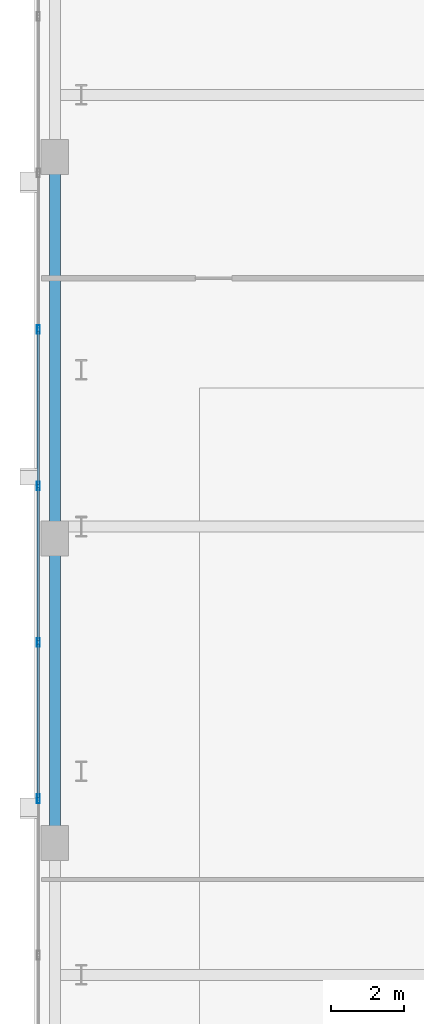
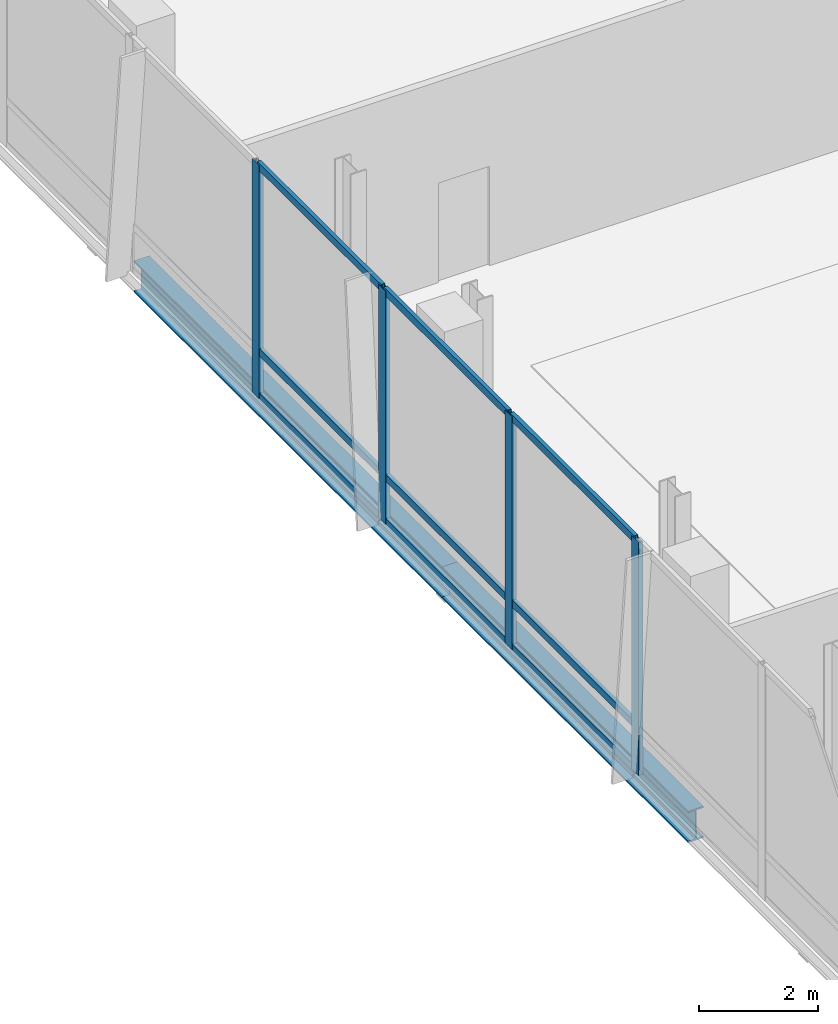
# One storey, part 8 of 25: 13 members, 2 beams, 1 element without a shape of its own.
"""IFC4 building model written with IfcOpenShell, lengths in metres."""

from ifc_helpers import new_model, si_unit, direction, frame, origin, origin_2d, place, context, subcontext, project, spatial, hollow_rectangle, i_section, extrude, material, material_profile, profile_set, type_object, element, aggregate, save


model = new_model("IFC4")

# Units and contexts
model_context = context("Model", 3, precision=1e-05, world=origin(), true_north=direction((0.0, 1.0)))
body_context = subcontext(model_context, "Body", "Model", "MODEL_VIEW")
ifc_project = project(units=[si_unit("LENGTHUNIT", "METRE"), si_unit("AREAUNIT", "SQUARE_METRE"), si_unit("VOLUMEUNIT", "CUBIC_METRE"), si_unit("PLANEANGLEUNIT", "RADIAN"), si_unit("MASSUNIT", "GRAM", prefix="KILO")], contexts=[model_context])

# Site, building, storey
site_placement = place(None, origin())
site = spatial("IfcSite", under=ifc_project, at=site_placement, CompositionType="ELEMENT")
building_placement = place(site_placement, origin())
building = spatial("IfcBuilding", under=site, at=building_placement, Name="Khoronbel Lancet Exchange", CompositionType="ELEMENT")
storey_placement = place(building_placement, frame((0.0, 0.0, 10.39990234375)))
storey = spatial("IfcBuildingStorey", under=building, at=storey_placement, Name="L02", CompositionType="ELEMENT", Elevation=10.39990234375)

# Beams
ifc_material_1 = material(Name="Steel S355", Category="steel")
ifc_material_profile_1 = material_profile(ifc_material_1, i_section(OverallWidth=0.300048828125, OverallDepth=0.64990234375, WebThickness=0.01611328125, FlangeThickness=0.031005859375, at=origin_2d()), Name="HEB 650")
ifc_profile_set_1 = profile_set([ifc_material_profile_1], Name="Steel S355")
beam_type = type_object("IfcBeamType", Name="BM-BSP1", PredefinedType="SPANDREL", material=ifc_profile_set_1)
beam_1_placement = place(storey_placement, frame((0.550048828125, 41.5, -0.52490234375), z_axis=(0.0, -1.0, 0.0), x_axis=(1.0, 0.0, 0.0)))
element("IfcBeam", 1, at=beam_1_placement, inside=storey, type_object=beam_type, Name="Level L02 perimeter spandrel beam SP16", PredefinedType="SPANDREL", context=body_context, shape_type="SweptSolid", body=[
    extrude(i_section(OverallWidth=0.300048828125, OverallDepth=0.64990234375, WebThickness=0.01611328125, FlangeThickness=0.031005859375, at=origin_2d()), origin(), (0.0, 0.0, 1.0), 10.39990234375),
])
beam_2_placement = place(storey_placement, frame((0.550048828125, 31.10009765625, -0.52490234375), z_axis=(0.0, -1.0, 0.0), x_axis=(1.0, 0.0, 0.0)))
element("IfcBeam", 2, at=beam_2_placement, inside=storey, type_object=beam_type, Name="Level L02 perimeter spandrel beam SP17", PredefinedType="SPANDREL", context=body_context, shape_type="SweptSolid", body=[
    extrude(i_section(OverallWidth=0.300048828125, OverallDepth=0.64990234375, WebThickness=0.01611328125, FlangeThickness=0.031005859375, at=origin_2d()), origin(), (0.0, 0.0, 1.0), 8.300048828125),
])

# Curtain wall, members
ifc_material_2 = material(Name="Low-E Solar Control Insulating Glass", Category="glass")
curtain_wall_type = type_object("IfcCurtainWallType", Name="CW-5", PredefinedType="NOTDEFINED", material=ifc_material_2)
curtain_wall_placement = place(storey_placement, origin())
curtain_wall = element("IfcCurtainWall", 3, at=curtain_wall_placement, inside=storey, type_object=curtain_wall_type, Name="Unitised curtain wall CW-L02-WEST", PredefinedType="NOTDEFINED")
ifc_material_3 = material(Name="Bronze-Anodised Aluminium 6063-T6", Category="aluminium")
ifc_material_profile_2 = material_profile(ifc_material_3, hollow_rectangle(XDim=0.0849609375, YDim=0.239990234375, WallThickness=0.006103515625, at=origin_2d()), Name="ALU MULLION 85x240")
ifc_profile_set_2 = profile_set([ifc_material_profile_2], Name="Bronze-Anodised Aluminium 6063-T6")
member_type_1 = type_object("IfcMemberType", Name="MEM-CWM1", PredefinedType="MULLION", material=ifc_profile_set_2)
member_1_placement = place(storey_placement, frame((0.10009765625, 36.800048828125, 0.0), z_axis=(0.0, 0.0, 1.0), x_axis=(1.0, 0.0, 0.0)))
member_1 = element("IfcMember", 4, at=member_1_placement, type_object=member_type_1, Name="CW5 mullion 4", PredefinedType="MULLION", context=body_context, shape_type="SweptSolid", body=[
    extrude(hollow_rectangle(XDim=0.0849609375, YDim=0.239990234375, WallThickness=0.006103515625, at=origin_2d()), origin(), (0.0, 0.0, 1.0), 4.800048828125),
])
member_2_placement = place(storey_placement, frame((0.10009765625, 32.533447265625, 0.0), z_axis=(0.0, 0.0, 1.0), x_axis=(1.0, 0.0, 0.0)))
member_2 = element("IfcMember", 5, at=member_2_placement, type_object=member_type_1, Name="CW5 mullion 5", PredefinedType="MULLION", context=body_context, shape_type="SweptSolid", body=[
    extrude(hollow_rectangle(XDim=0.0849609375, YDim=0.239990234375, WallThickness=0.006103515625, at=origin_2d()), origin(), (0.0, 0.0, 1.0), 4.800048828125),
])
member_3_placement = place(storey_placement, frame((0.10009765625, 28.2666015625, 0.0), z_axis=(0.0, 0.0, 1.0), x_axis=(1.0, 0.0, 0.0)))
member_3 = element("IfcMember", 6, at=member_3_placement, type_object=member_type_1, Name="CW5 mullion 6", PredefinedType="MULLION", context=body_context, shape_type="SweptSolid", body=[
    extrude(hollow_rectangle(XDim=0.0849609375, YDim=0.239990234375, WallThickness=0.006103515625, at=origin_2d()), origin(), (0.0, 0.0, 1.0), 4.800048828125),
])
member_4_placement = place(storey_placement, frame((0.10009765625, 24.0, 0.0), z_axis=(0.0, 0.0, 1.0), x_axis=(1.0, 0.0, 0.0)))
member_4 = element("IfcMember", 7, at=member_4_placement, type_object=member_type_1, Name="CW5 mullion 7", PredefinedType="MULLION", context=body_context, shape_type="SweptSolid", body=[
    extrude(hollow_rectangle(XDim=0.0849609375, YDim=0.239990234375, WallThickness=0.006103515625, at=origin_2d()), origin(), (0.0, 0.0, 1.0), 4.800048828125),
])
ifc_material_profile_3 = material_profile(ifc_material_3, hollow_rectangle(XDim=0.074951171875, YDim=0.14990234375, WallThickness=0.00439453125, at=origin_2d()), Name="ALU TRANSOM 75x150")
ifc_profile_set_3 = profile_set([ifc_material_profile_3], Name="Bronze-Anodised Aluminium 6063-T6")
member_type_2 = type_object("IfcMemberType", Name="MEM-CWT2", PredefinedType="USERDEFINED", material=ifc_profile_set_3)
member_5_placement = place(storey_placement, frame((0.10009765625, 36.757568359375, 0.03759765625), z_axis=(0.0, -1.0, 0.0), x_axis=(1.0, 0.0, 0.0)))
member_5 = element("IfcMember", 8, at=member_5_placement, type_object=member_type_2, Name="CW5 transom 4.1", ObjectType="TRANSOM", PredefinedType="USERDEFINED", context=body_context, shape_type="SweptSolid", body=[
    extrude(hollow_rectangle(XDim=0.074951171875, YDim=0.14990234375, WallThickness=0.00439453125, at=origin_2d()), origin(), (0.0, 0.0, 1.0), 4.181640625),
])
member_6_placement = place(storey_placement, frame((0.10009765625, 36.757568359375, 0.9501953125), z_axis=(0.0, -1.0, 0.0), x_axis=(1.0, 0.0, 0.0)))
member_6 = element("IfcMember", 9, at=member_6_placement, type_object=member_type_2, Name="CW5 transom 4.2", ObjectType="TRANSOM", PredefinedType="USERDEFINED", context=body_context, shape_type="SweptSolid", body=[
    extrude(hollow_rectangle(XDim=0.074951171875, YDim=0.14990234375, WallThickness=0.00439453125, at=origin_2d()), origin(), (0.0, 0.0, 1.0), 4.181640625),
])
member_7_placement = place(storey_placement, frame((0.10009765625, 36.757568359375, 4.7626953125), z_axis=(0.0, -1.0, 0.0), x_axis=(1.0, 0.0, 0.0)))
member_7 = element("IfcMember", 10, at=member_7_placement, type_object=member_type_2, Name="CW5 transom 4.3", ObjectType="TRANSOM", PredefinedType="USERDEFINED", context=body_context, shape_type="SweptSolid", body=[
    extrude(hollow_rectangle(XDim=0.074951171875, YDim=0.14990234375, WallThickness=0.00439453125, at=origin_2d()), origin(), (0.0, 0.0, 1.0), 4.181640625),
])
member_8_placement = place(storey_placement, frame((0.10009765625, 32.49072265625, 0.03759765625), z_axis=(0.0, -1.0, 0.0), x_axis=(1.0, 0.0, 0.0)))
member_8 = element("IfcMember", 11, at=member_8_placement, type_object=member_type_2, Name="CW5 transom 5.1", ObjectType="TRANSOM", PredefinedType="USERDEFINED", context=body_context, shape_type="SweptSolid", body=[
    extrude(hollow_rectangle(XDim=0.074951171875, YDim=0.14990234375, WallThickness=0.00439453125, at=origin_2d()), origin(), (0.0, 0.0, 1.0), 4.181640625),
])
member_9_placement = place(storey_placement, frame((0.10009765625, 32.49072265625, 0.9501953125), z_axis=(0.0, -1.0, 0.0), x_axis=(1.0, 0.0, 0.0)))
member_9 = element("IfcMember", 12, at=member_9_placement, type_object=member_type_2, Name="CW5 transom 5.2", ObjectType="TRANSOM", PredefinedType="USERDEFINED", context=body_context, shape_type="SweptSolid", body=[
    extrude(hollow_rectangle(XDim=0.074951171875, YDim=0.14990234375, WallThickness=0.00439453125, at=origin_2d()), origin(), (0.0, 0.0, 1.0), 4.181640625),
])
member_10_placement = place(storey_placement, frame((0.10009765625, 32.49072265625, 4.7626953125), z_axis=(0.0, -1.0, 0.0), x_axis=(1.0, 0.0, 0.0)))
member_10 = element("IfcMember", 13, at=member_10_placement, type_object=member_type_2, Name="CW5 transom 5.3", ObjectType="TRANSOM", PredefinedType="USERDEFINED", context=body_context, shape_type="SweptSolid", body=[
    extrude(hollow_rectangle(XDim=0.074951171875, YDim=0.14990234375, WallThickness=0.00439453125, at=origin_2d()), origin(), (0.0, 0.0, 1.0), 4.181640625),
])
member_11_placement = place(storey_placement, frame((0.10009765625, 28.22412109375, 0.03759765625), z_axis=(0.0, -1.0, 0.0), x_axis=(1.0, 0.0, 0.0)))
member_11 = element("IfcMember", 14, at=member_11_placement, type_object=member_type_2, Name="CW5 transom 6.1", ObjectType="TRANSOM", PredefinedType="USERDEFINED", context=body_context, shape_type="SweptSolid", body=[
    extrude(hollow_rectangle(XDim=0.074951171875, YDim=0.14990234375, WallThickness=0.00439453125, at=origin_2d()), origin(), (0.0, 0.0, 1.0), 4.181640625),
])
member_12_placement = place(storey_placement, frame((0.10009765625, 28.22412109375, 0.9501953125), z_axis=(0.0, -1.0, 0.0), x_axis=(1.0, 0.0, 0.0)))
member_12 = element("IfcMember", 15, at=member_12_placement, type_object=member_type_2, Name="CW5 transom 6.2", ObjectType="TRANSOM", PredefinedType="USERDEFINED", context=body_context, shape_type="SweptSolid", body=[
    extrude(hollow_rectangle(XDim=0.074951171875, YDim=0.14990234375, WallThickness=0.00439453125, at=origin_2d()), origin(), (0.0, 0.0, 1.0), 4.181640625),
])
member_13_placement = place(storey_placement, frame((0.10009765625, 28.22412109375, 4.7626953125), z_axis=(0.0, -1.0, 0.0), x_axis=(1.0, 0.0, 0.0)))
member_13 = element("IfcMember", 16, at=member_13_placement, type_object=member_type_2, Name="CW5 transom 6.3", ObjectType="TRANSOM", PredefinedType="USERDEFINED", context=body_context, shape_type="SweptSolid", body=[
    extrude(hollow_rectangle(XDim=0.074951171875, YDim=0.14990234375, WallThickness=0.00439453125, at=origin_2d()), origin(), (0.0, 0.0, 1.0), 4.181640625),
])
aggregate(curtain_wall, [member_1, member_2, member_3, member_4, member_5, member_6, member_7, member_8, member_9, member_10, member_11, member_12, member_13])

save(model, "model.ifc")
